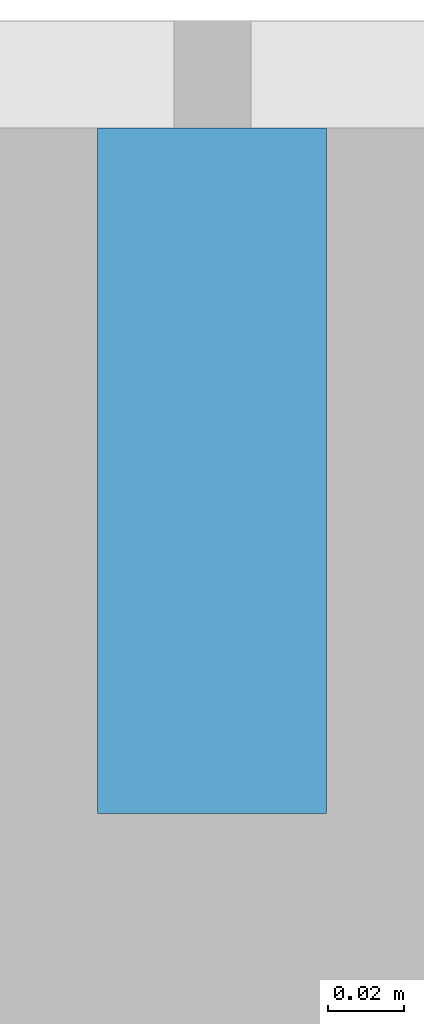
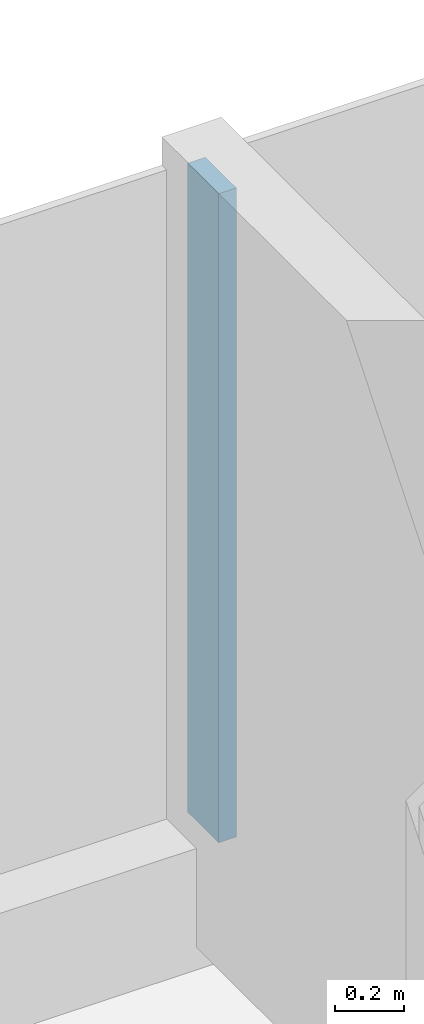
# One storey, part 8 of 25: 1 member, 1 element without a shape of its own.
"""IFC4 building model written with IfcOpenShell, lengths in metres."""

from ifc_helpers import new_model, si_unit, direction, frame, origin, origin_2d, place, context, subcontext, project, spatial, rectangle, extrude, material, layer, layer_set, material_profile, profile_set, type_object, element, aggregate, save


model = new_model("IFC4")

# Units and contexts
model_context = context("Model", 3, precision=1e-05, world=origin(), true_north=direction((0.0, 1.0)))
body_context = subcontext(model_context, "Body", "Model", "MODEL_VIEW")
ifc_project = project(units=[si_unit("LENGTHUNIT", "METRE"), si_unit("AREAUNIT", "SQUARE_METRE"), si_unit("VOLUMEUNIT", "CUBIC_METRE"), si_unit("PLANEANGLEUNIT", "RADIAN"), si_unit("MASSUNIT", "GRAM", prefix="KILO")], contexts=[model_context])

# Site, building, storey
site_placement = place(None, origin())
site = spatial("IfcSite", under=ifc_project, at=site_placement, CompositionType="ELEMENT")
building_placement = place(site_placement, origin())
building = spatial("IfcBuilding", under=site, at=building_placement, Name="Hakoniwa Tower and Hamabe Station Hall", CompositionType="ELEMENT")
storey_placement = place(building_placement, frame((0.0, 0.0, 147.0)))
storey = spatial("IfcBuildingStorey", under=building, at=storey_placement, Name="L41", CompositionType="ELEMENT", Elevation=147.0)

# Curtain wall, member
ifc_material_1 = material(Name="Dark low-e laminated glass", Category="glass")
ifc_layer = layer(ifc_material_1, 0.199951171875)
ifc_layer_set = layer_set([ifc_layer], Name="CW-1 UNITISED GUEST")
curtain_wall_type = type_object("IfcCurtainWallType", Name="CW-1 UNITISED GUEST", PredefinedType="NOTDEFINED", material=ifc_layer_set)
curtain_wall_placement = place(storey_placement, origin())
curtain_wall = element("IfcCurtainWall", 1, at=curtain_wall_placement, inside=storey, type_object=curtain_wall_type, Name="CW-1 curtain wall", PredefinedType="NOTDEFINED")
ifc_material_2 = material(Name="Aluminium 6063-T5 black anodised", Category="aluminium")
ifc_material_profile = material_profile(ifc_material_2, rectangle(XDim=0.06005859375, YDim=0.179931640625, at=origin_2d()), Name="CW-1 MULLION 60X180")
ifc_profile_set = profile_set([ifc_material_profile], Name="Aluminium 6063-T5 black anodised")
member_type = type_object("IfcMemberType", Name="CW-1 MULLION 60X180", PredefinedType="MULLION", material=ifc_profile_set)
member_placement = place(storey_placement, frame((8.39990234375, 18.181884765625, 0.35009765625), z_axis=(0.0, 0.0, 1.0), x_axis=(-1.0, 0.0, 0.0)))
member = element("IfcMember", 2, at=member_placement, type_object=member_type, Name="CW-1 mullion", PredefinedType="MULLION", context=body_context, shape_type="SweptSolid", body=[
    extrude(rectangle(XDim=0.06005859375, YDim=0.179931640625, at=origin_2d()), origin(), (0.0, 0.0, 1.0), 2.2998046875),
])
aggregate(curtain_wall, [member])

save(model, "model.ifc")
